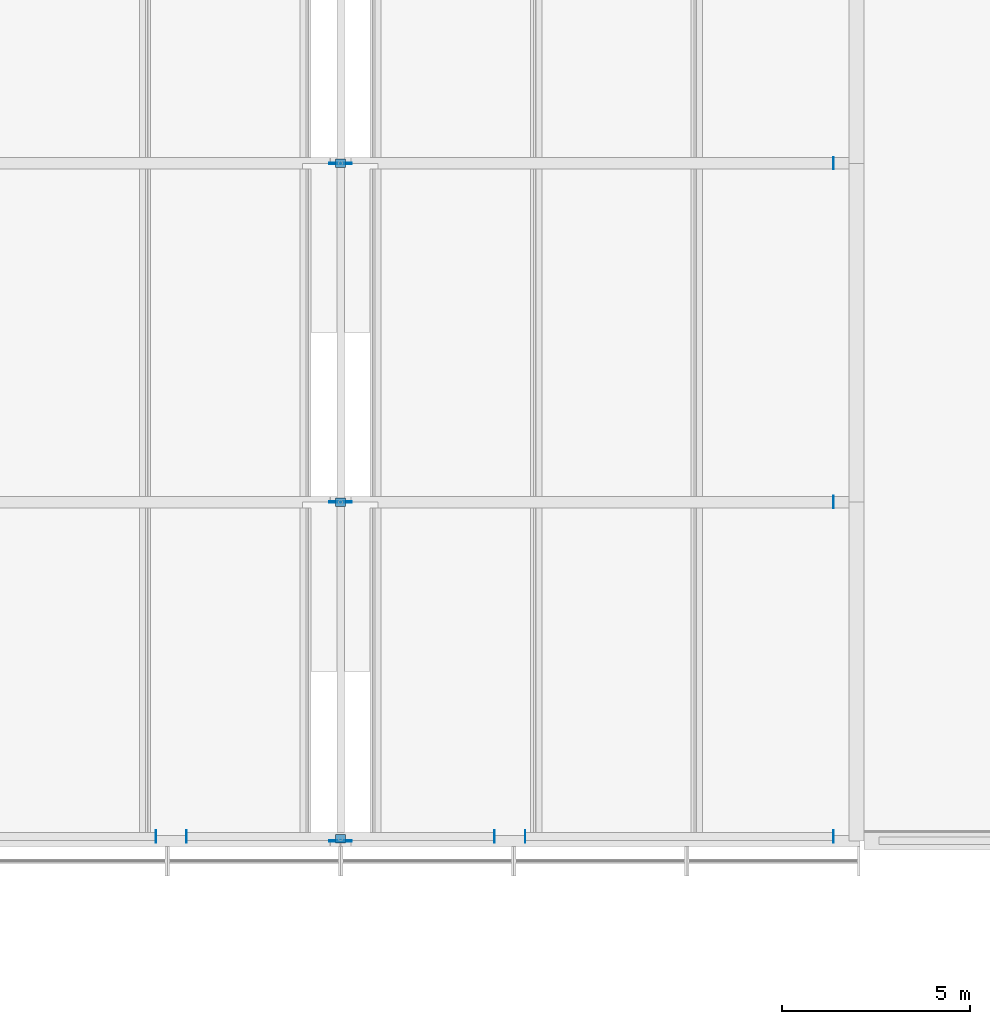
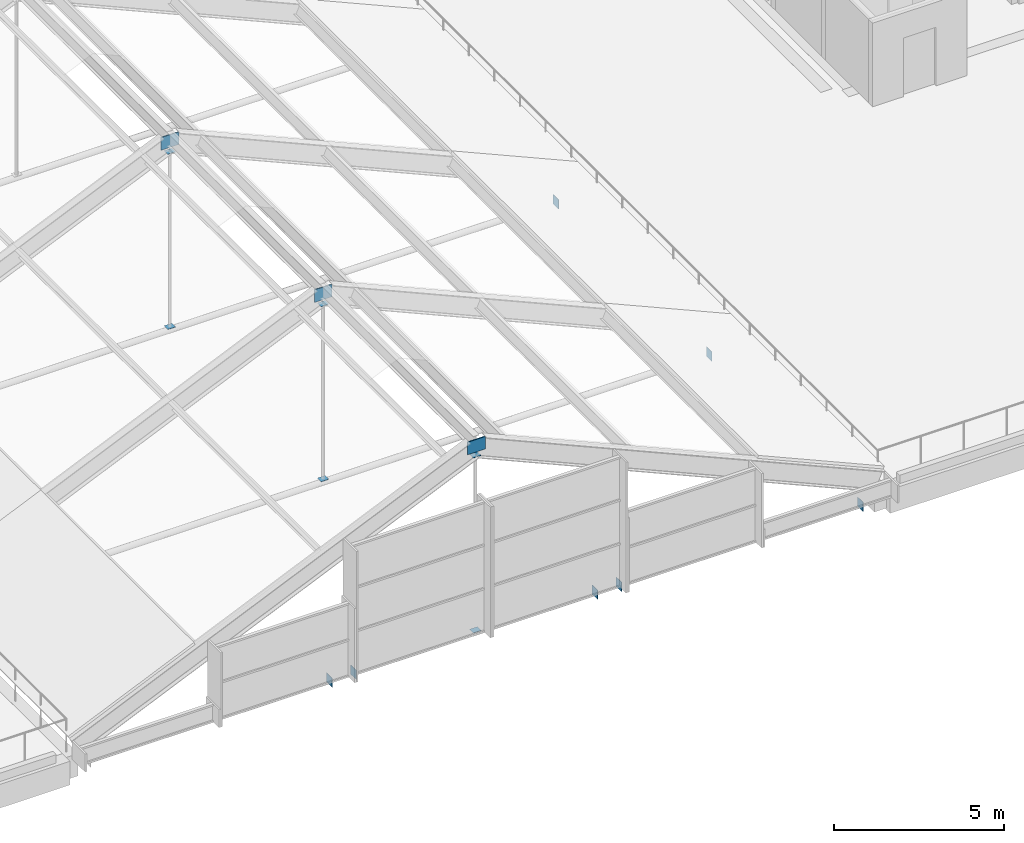
# One storey, part 94 of 106: 19 discrete accessories.
"""IFC4 building model written with IfcOpenShell, lengths in metres."""

from ifc_helpers import new_model, si_unit, direction, frame, origin, origin_2d, place, context, subcontext, project, spatial, rectangle, extrude, material, material_profile, profile_set, type_object, element, save


model = new_model("IFC4")

# Units and contexts
model_context = context("Model", 3, precision=1e-05, world=origin(), true_north=direction((0.0, 1.0)))
body_context = subcontext(model_context, "Body", "Model", "MODEL_VIEW")
ifc_project = project(units=[si_unit("LENGTHUNIT", "METRE"), si_unit("AREAUNIT", "SQUARE_METRE"), si_unit("VOLUMEUNIT", "CUBIC_METRE"), si_unit("PLANEANGLEUNIT", "RADIAN"), si_unit("MASSUNIT", "GRAM", prefix="KILO")], contexts=[model_context])

# Site, building, storey
site_placement = place(None, origin())
site = spatial("IfcSite", under=ifc_project, at=site_placement, CompositionType="ELEMENT")
building_placement = place(site_placement, origin())
building = spatial("IfcBuilding", under=site, at=building_placement, Name="Guidao Yard Department Store", CompositionType="ELEMENT")
storey_placement = place(building_placement, frame((0.0, 0.0, 10.5)))
storey = spatial("IfcBuildingStorey", under=building, at=storey_placement, Name="L02", CompositionType="ELEMENT", Elevation=10.5)

# Discrete accessories
ifc_material_1 = material(Name="Steel Q355B", Category="steel")
ifc_material_profile_1 = material_profile(ifc_material_1, rectangle(XDim=0.011962890625, YDim=0.449951171875, at=origin_2d()), Name="Splice plate 450x12")
ifc_profile_set_1 = profile_set([ifc_material_profile_1], Name="Steel Q355B")
discrete_accessory_type_1 = type_object("IfcDiscreteAccessoryType", Name="Rib splice plate SP2 steel", PredefinedType="BRACKET", material=ifc_profile_set_1)
for number, where, z_axis, x_axis, name in (
    (1, (139.199951171875, 53.987548828125, 6.3203125), (1.0, 0.0, 0.0), (0.0, 1.0, 0.0), "Rib splice plate F01-01A"),
    (2, (139.199951171875, 54.012451171875, 6.3203125), (1.0, 0.0, 0.0), (0.0, 1.0, 0.0), "Rib splice plate F01-01B"),
    (3, (139.199951171875, 62.987548828125, 6.3203125), (1.0, 0.0, 0.0), (0.0, 1.0, 0.0), "Rib splice plate F02-01A"),
    (4, (139.199951171875, 63.012451171875, 6.3203125), (1.0, 0.0, 0.0), (0.0, 1.0, 0.0), "Rib splice plate F02-01B"),
    (5, (139.199951171875, 71.987548828125, 6.3203125), (1.0, 0.0, 0.0), (0.0, 1.0, 0.0), "Rib splice plate F03-01A"),
    (6, (139.199951171875, 72.012451171875, 6.3203125), (1.0, 0.0, 0.0), (0.0, 1.0, 0.0), "Rib splice plate F03-01B"),
):
    element("IfcDiscreteAccessory", number, at=place(storey_placement, frame(where, z_axis=z_axis, x_axis=x_axis)), inside=storey, type_object=discrete_accessory_type_1, Name=name, PredefinedType="BRACKET", context=body_context, shape_type="SweptSolid", body=[
        extrude(rectangle(XDim=0.011962890625, YDim=0.449951171875, at=origin_2d()), origin(), (0.0, 0.0, 1.0), 0.60009765625),
    ])
ifc_material_2 = material(Name="Steel Q355B", Category="steel")
ifc_material_profile_2 = material_profile(ifc_material_2, rectangle(XDim=0.327880859375, YDim=0.011962890625, at=origin_2d()), Name="Node plate 328x12")
ifc_profile_set_2 = profile_set([ifc_material_profile_2], Name="Steel Q355B")
discrete_accessory_type_2 = type_object("IfcDiscreteAccessoryType", Name="Tie end plate NP3 328 steel", PredefinedType="BRACKET", material=ifc_profile_set_2)
for number, where, z_axis, x_axis, name in (
    (7, (134.593994140625, 53.9560546875, -0.449951171875), (0.0, 1.0, 0.0), (0.0, 0.0, 1.0), "Tie end plate F01-1R"),
    (8, (135.406005859375, 53.9560546875, -0.449951171875), (0.0, 1.0, 0.0), (0.0, 0.0, 1.0), "Tie end plate F01-2L"),
    (9, (143.593994140625, 53.9560546875, -0.449951171875), (0.0, 1.0, 0.0), (0.0, 0.0, 1.0), "Tie end plate F01-2R"),
    (10, (144.406005859375, 53.9560546875, -0.449951171875), (0.0, 1.0, 0.0), (0.0, 0.0, 1.0), "Tie end plate F01-3L"),
    (11, (152.593994140625, 53.9560546875, -0.449951171875), (0.0, 1.0, 0.0), (0.0, 0.0, 1.0), "Tie end plate F01-3R"),
):
    element("IfcDiscreteAccessory", number, at=place(storey_placement, frame(where, z_axis=z_axis, x_axis=x_axis)), inside=storey, type_object=discrete_accessory_type_2, Name=name, PredefinedType="BRACKET", context=body_context, shape_type="SweptSolid", body=[
        extrude(rectangle(XDim=0.327880859375, YDim=0.011962890625, at=origin_2d()), origin(), (0.0, 0.0, 1.0), 0.327880859375),
    ])
for number, where, z_axis, x_axis, name in (
    (12, (152.593994140625, 62.8359375, -0.449951171875), (0.0, 1.0, 0.0), (0.0, 0.0, 1.0), "Tie end plate F02R"),
    (13, (152.593994140625, 71.8359375, -0.449951171875), (0.0, 1.0, 0.0), (0.0, 0.0, 1.0), "Tie end plate F03R"),
):
    element("IfcDiscreteAccessory", number, at=place(storey_placement, frame(where, z_axis=z_axis, x_axis=x_axis)), inside=storey, type_object=discrete_accessory_type_2, Name=name, PredefinedType="BRACKET", context=body_context, shape_type="SweptSolid", body=[
        extrude(rectangle(XDim=0.327880859375, YDim=0.011962890625, at=origin_2d()), origin(), (0.0, 0.0, 1.0), 0.328125),
    ])
ifc_material_3 = material(Name="Steel Q355B", Category="steel")
ifc_material_profile_3 = material_profile(ifc_material_3, rectangle(XDim=0.260009765625, YDim=0.011962890625, at=origin_2d()), Name="Node plate 260x12")
ifc_profile_set_3 = profile_set([ifc_material_profile_3], Name="Steel Q355B")
discrete_accessory_type_3 = type_object("IfcDiscreteAccessoryType", Name="Web foot plate NP2 steel", PredefinedType="BRACKET", material=ifc_profile_set_3)
discrete_accessory_1_placement = place(storey_placement, frame((139.5, 53.949951171875, -0.33447265625), z_axis=(0.0, 1.0, 0.0), x_axis=(-1.0, 0.0, 0.0)))
element("IfcDiscreteAccessory", 14, at=discrete_accessory_1_placement, inside=storey, type_object=discrete_accessory_type_3, Name="Web foot plate F01-01F", PredefinedType="BRACKET", context=body_context, shape_type="SweptSolid", body=[
    extrude(rectangle(XDim=0.260009765625, YDim=0.011962890625, at=origin_2d()), origin(), (0.0, 0.0, 1.0), 0.219970703125),
])
for number, where, z_axis, x_axis, name in (
    (15, (139.5, 62.889892578125, -0.33447265625), (0.0, 1.0, 0.0), (-1.0, 0.0, 0.0), "Web foot plate F02-01F"),
    (16, (139.5, 71.889892578125, -0.33447265625), (0.0, 1.0, 0.0), (-1.0, 0.0, 0.0), "Web foot plate F03-01F"),
):
    element("IfcDiscreteAccessory", number, at=place(storey_placement, frame(where, z_axis=z_axis, x_axis=x_axis)), inside=storey, type_object=discrete_accessory_type_3, Name=name, PredefinedType="BRACKET", context=body_context, shape_type="SweptSolid", body=[
        extrude(rectangle(XDim=0.260009765625, YDim=0.011962890625, at=origin_2d()), origin(), (0.0, 0.0, 1.0), 0.22021484375),
    ])
ifc_material_4 = material(Name="Steel Q355B", Category="steel")
ifc_material_profile_4 = material_profile(ifc_material_4, rectangle(XDim=0.260009765625, YDim=0.011962890625, at=origin_2d()), Name="Node plate 260x12")
ifc_profile_set_4 = profile_set([ifc_material_profile_4], Name="Steel Q355B")
discrete_accessory_type_4 = type_object("IfcDiscreteAccessoryType", Name="Web head plate NP1 steel", PredefinedType="BRACKET", material=ifc_profile_set_4)
discrete_accessory_2_placement = place(storey_placement, frame((139.5, 53.949951171875, 5.938232421875), z_axis=(0.0, 1.0, 0.0), x_axis=(-1.0, 0.0, 0.0)))
element("IfcDiscreteAccessory", 17, at=discrete_accessory_2_placement, inside=storey, type_object=discrete_accessory_type_4, Name="Web head plate F01-01H", PredefinedType="BRACKET", context=body_context, shape_type="SweptSolid", body=[
    extrude(rectangle(XDim=0.260009765625, YDim=0.011962890625, at=origin_2d()), origin(), (0.0, 0.0, 1.0), 0.219970703125),
])
for number, where, z_axis, x_axis, name in (
    (18, (139.5, 62.889892578125, 5.938232421875), (0.0, 1.0, 0.0), (-1.0, 0.0, 0.0), "Web head plate F02-01H"),
    (19, (139.5, 71.889892578125, 5.938232421875), (0.0, 1.0, 0.0), (-1.0, 0.0, 0.0), "Web head plate F03-01H"),
):
    element("IfcDiscreteAccessory", number, at=place(storey_placement, frame(where, z_axis=z_axis, x_axis=x_axis)), inside=storey, type_object=discrete_accessory_type_4, Name=name, PredefinedType="BRACKET", context=body_context, shape_type="SweptSolid", body=[
        extrude(rectangle(XDim=0.260009765625, YDim=0.011962890625, at=origin_2d()), origin(), (0.0, 0.0, 1.0), 0.22021484375),
    ])

save(model, "model.ifc")
